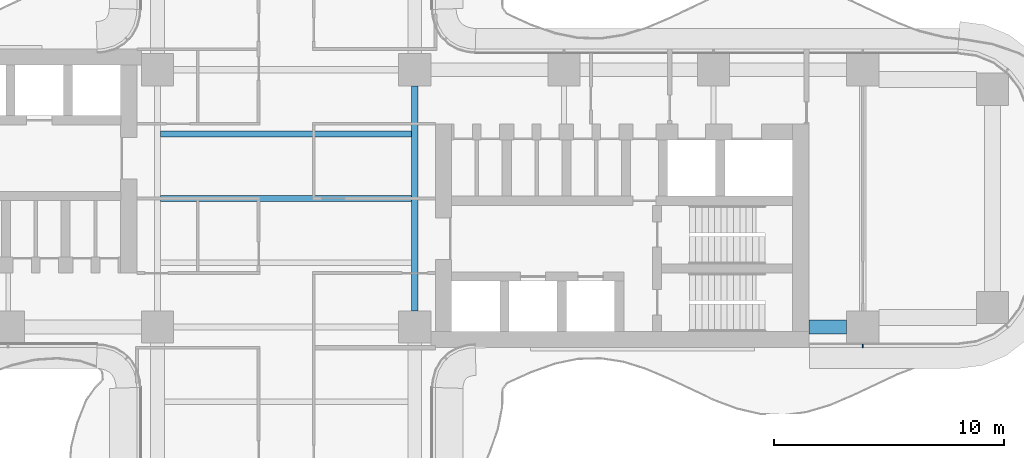
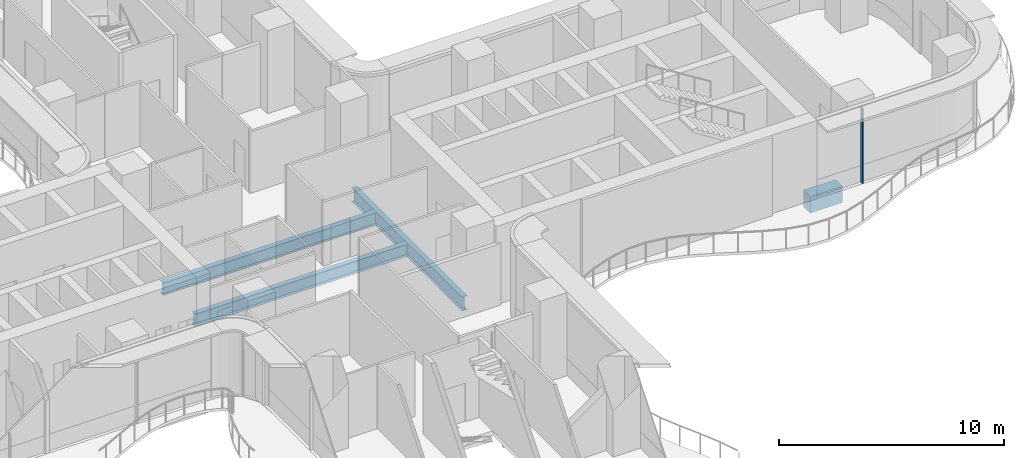
# One storey, part 6 of 22: 4 beams, 1 member, 1 element without a shape of its own.
"""IFC4 building model written with IfcOpenShell, lengths in metres."""

from ifc_helpers import new_model, si_unit, direction, frame, origin, origin_2d, place, context, subcontext, project, spatial, rectangle, i_section, extrude, source, transform, mapped, material, layer, layer_set, material_profile, profile_set, type_object, element, aggregate, save


model = new_model("IFC4")

# Units and contexts
model_context = context("Model", 3, precision=1e-05, world=origin(), true_north=direction((0.0, 1.0)))
body_context = subcontext(model_context, "Body", "Model", "MODEL_VIEW")
ifc_project = project(units=[si_unit("LENGTHUNIT", "METRE"), si_unit("AREAUNIT", "SQUARE_METRE"), si_unit("VOLUMEUNIT", "CUBIC_METRE"), si_unit("PLANEANGLEUNIT", "RADIAN"), si_unit("MASSUNIT", "GRAM", prefix="KILO")], contexts=[model_context])

# Site, building, storey
site_placement = place(None, origin())
site = spatial("IfcSite", under=ifc_project, at=site_placement, CompositionType="ELEMENT")
building_placement = place(site_placement, origin())
building = spatial("IfcBuilding", under=site, at=building_placement, Name="Trellis Farm Tower", CompositionType="ELEMENT")
storey_placement = place(building_placement, frame((0.0, 0.0, 79.0)))
storey = spatial("IfcBuildingStorey", under=building, at=storey_placement, Name="L16", CompositionType="ELEMENT", Elevation=79.0)

# Beams
ifc_material_1 = material(Name="Steel S355", Category="steel")
ifc_material_profile_1 = material_profile(ifc_material_1, i_section(OverallWidth=0.253662109375, OverallDepth=0.68359375, WebThickness=0.012451171875, FlangeThickness=0.021728515625, FilletRadius=0.01513671875, at=origin_2d()), Name="UB 686x254x140")
ifc_profile_set_1 = profile_set([ifc_material_profile_1], Name="Steel S355")
beam_type_1 = type_object("IfcBeamType", Name="UB 686x254x140 joist", PredefinedType="JOIST", material=ifc_profile_set_1)
shared_shape_1 = source(origin(), body_context, "Body", "SweptSolid", [
    extrude(i_section(OverallWidth=0.253662109375, OverallDepth=0.68359375, WebThickness=0.012451171875, FlangeThickness=0.021728515625, FilletRadius=0.01513671875, at=origin_2d()), origin(), (0.0, 0.0, 1.0), 10.93310546875),
])
for number, where, z_axis, x_axis, name in (
    (1, (-5.466552734375, 0.0, -0.591796875), (1.0, 0.0, 0.0), (0.0, 1.0, 0.0), "Floor beam"),
    (2, (-5.466552734375, 2.800048828125, -0.591796875), (1.0, 0.0, 0.0), (0.0, 1.0, 0.0), "Floor beam"),
):
    element("IfcBeam", number, at=place(storey_placement, frame(where, z_axis=z_axis, x_axis=x_axis)), inside=storey, type_object=beam_type_1, Name=name, PredefinedType="JOIST", context=body_context, shape_type="MappedRepresentation", body=[
        mapped(shared_shape_1, transform((0.0, 0.0, 0.0))),
    ])
ifc_material_profile_2 = material_profile(ifc_material_1, i_section(OverallWidth=0.2666015625, OverallDepth=0.76220703125, WebThickness=0.014404296875, FlangeThickness=0.021484375, FilletRadius=0.0166015625, at=origin_2d()), Name="UB 762x267x173")
ifc_profile_set_2 = profile_set([ifc_material_profile_2], Name="Steel S355")
beam_type_2 = type_object("IfcBeamType", Name="UB 762x267x173", PredefinedType="BEAM", material=ifc_profile_set_2)
shared_shape_2 = source(origin(), body_context, "Body", "SweptSolid", [
    extrude(i_section(OverallWidth=0.2666015625, OverallDepth=0.76220703125, WebThickness=0.014404296875, FlangeThickness=0.021484375, FilletRadius=0.0166015625, at=origin_2d()), origin(), (0.0, 0.0, 1.0), 9.7998046875),
])
beam_1_placement = place(storey_placement, frame((5.60009765625, -4.89990234375, -0.631103515625), z_axis=(0.0, 1.0, 0.0), x_axis=(-1.0, 0.0, 0.0)))
element("IfcBeam", 3, at=beam_1_placement, inside=storey, type_object=beam_type_2, Name="Girder", PredefinedType="BEAM", context=body_context, shape_type="MappedRepresentation", body=[
    mapped(shared_shape_2, transform((0.0, 0.0, 0.0))),
])
ifc_material_2 = material(Name="Concrete C60/75", Category="concrete")
ifc_material_profile_3 = material_profile(ifc_material_2, rectangle(XDim=0.60009765625, YDim=0.89990234375, at=origin_2d()), Name="RC spandrel beam 600x900 C60/75")
ifc_profile_set_3 = profile_set([ifc_material_profile_3], Name="Concrete C60/75")
beam_type_3 = type_object("IfcBeamType", Name="RC spandrel beam 600x900 C60/75", PredefinedType="SPANDREL", material=ifc_profile_set_3)
shared_shape_3 = source(origin(), body_context, "Body", "SweptSolid", [
    extrude(rectangle(XDim=0.60009765625, YDim=0.89990234375, at=origin_2d()), origin(), (0.0, 0.0, 1.0), 1.64990234375),
])
beam_2_placement = place(storey_placement, frame((22.75, -5.60009765625, -0.699951171875), z_axis=(1.0, 0.0, 0.0), x_axis=(0.0, 1.0, 0.0)))
element("IfcBeam", 4, at=beam_2_placement, inside=storey, type_object=beam_type_3, Name="Girder", PredefinedType="SPANDREL", context=body_context, shape_type="MappedRepresentation", body=[
    mapped(shared_shape_3, transform((0.0, 0.0, 0.0))),
])

# Curtain wall, member
ifc_material_3 = material(Name="Aluminium and glass curtain wall", Category="aluminium")
ifc_layer = layer(ifc_material_3, 0.18994140625)
ifc_layer_set = layer_set([ifc_layer], Name="RIBBON CURTAIN WALL CW1")
curtain_wall_type = type_object("IfcCurtainWallType", Name="RIBBON CURTAIN WALL CW1", PredefinedType="NOTDEFINED", material=ifc_layer_set)
curtain_wall_placement = place(storey_placement, origin())
curtain_wall = element("IfcCurtainWall", 5, at=curtain_wall_placement, inside=storey, type_object=curtain_wall_type, Name="CW1 005", PredefinedType="NOTDEFINED")
ifc_material_4 = material(Name="Aluminium extrusion 6063-T6", Category="aluminium")
ifc_material_profile_4 = material_profile(ifc_material_4, rectangle(XDim=0.06005859375, YDim=0.14990234375, at=origin_2d()), Name="MULLION 60x150")
ifc_profile_set_4 = profile_set([ifc_material_profile_4], Name="Aluminium extrusion 6063-T6")
member_type = type_object("IfcMemberType", Name="CW1 MULLION 60x150", PredefinedType="MULLION", material=ifc_profile_set_4)
shared_shape_4 = source(origin(), body_context, "Body", "SweptSolid", [
    extrude(rectangle(XDim=0.06005859375, YDim=0.14990234375, at=origin_2d()), origin(), (0.0, 0.0, 1.0), 4.070068359375),
])
member_placement = place(storey_placement, frame((25.10009765625, -6.425048828125, 0.0), z_axis=(0.0, 0.0, 1.0), x_axis=(1.0, 0.0, 0.0)))
member = element("IfcMember", 6, at=member_placement, type_object=member_type, Name="MU1 005-01", PredefinedType="MULLION", context=body_context, shape_type="MappedRepresentation", body=[
    mapped(shared_shape_4, transform((0.0, 0.0, 0.0))),
])
aggregate(curtain_wall, [member])

save(model, "model.ifc")
